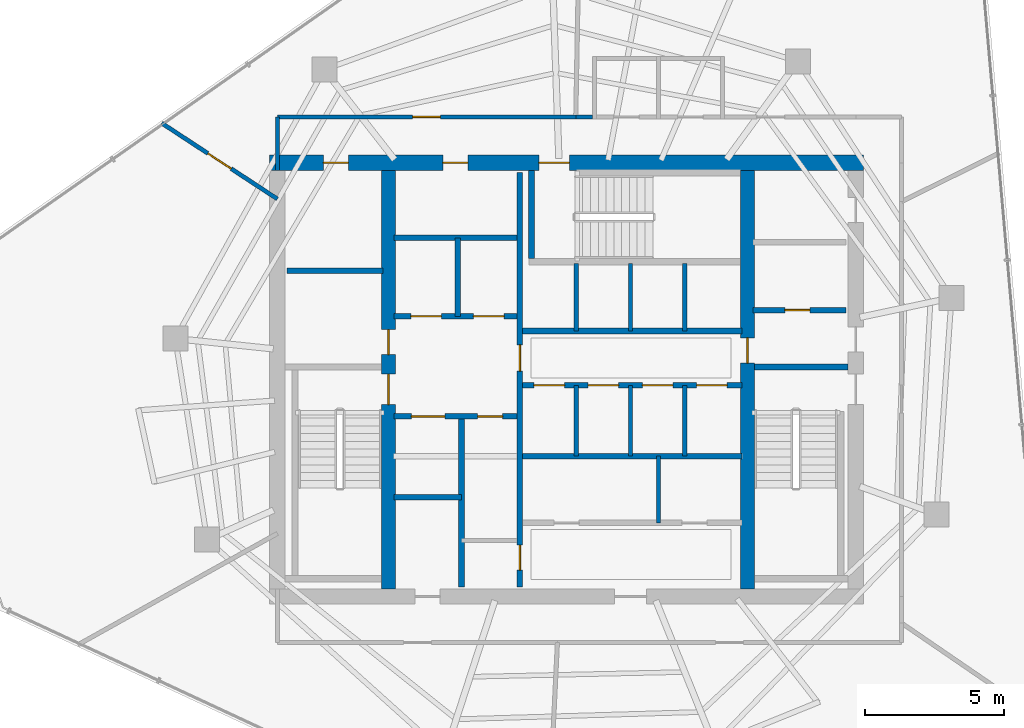
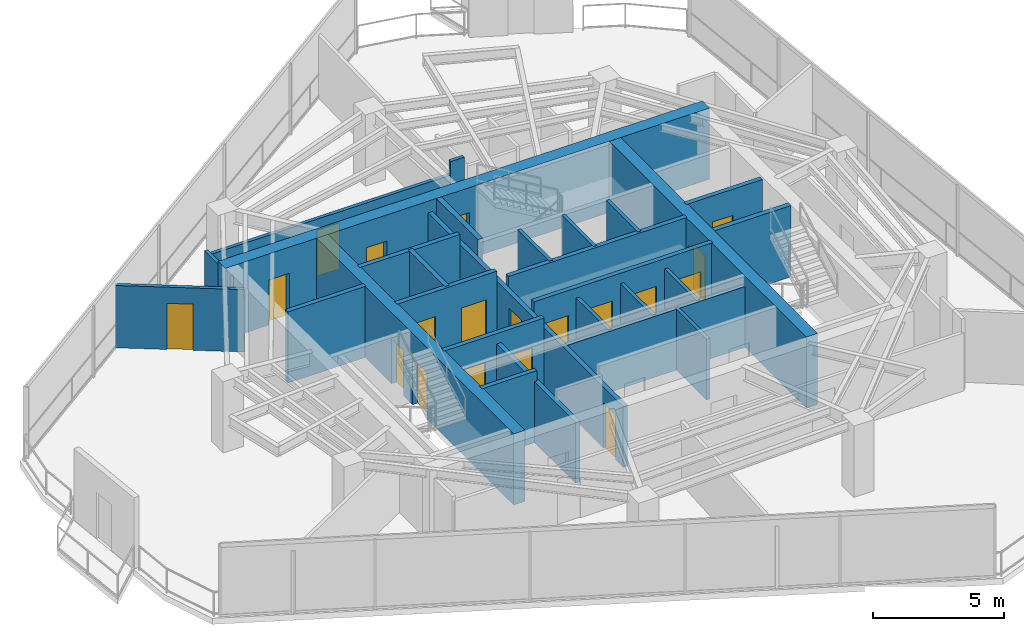
# One storey, part 17 of 20: 28 walls, 19 doors, 19 openings.
"""IFC4 building model written with IfcOpenShell, lengths in metres."""

from ifc_helpers import new_model, si_unit, direction, frame, frame_2d, origin, place, context, subcontext, project, spatial, rectangle, extrude, material, layer, layer_set, type_object, element, fill, save


model = new_model("IFC4")

# Units and contexts
model_context = context("Model", 3, precision=1e-05, world=origin(), true_north=direction((0.0, 1.0)))
body_context = subcontext(model_context, "Body", "Model", "MODEL_VIEW")
ifc_project = project(units=[si_unit("LENGTHUNIT", "METRE"), si_unit("AREAUNIT", "SQUARE_METRE"), si_unit("VOLUMEUNIT", "CUBIC_METRE"), si_unit("PLANEANGLEUNIT", "RADIAN"), si_unit("MASSUNIT", "GRAM", prefix="KILO")], contexts=[model_context])

# Site, building, storey
site_placement = place(None, origin())
site = spatial("IfcSite", under=ifc_project, at=site_placement, CompositionType="ELEMENT")
building_placement = place(site_placement, origin())
building = spatial("IfcBuilding", under=site, at=building_placement, Name="Qarnah Convention Tower", CompositionType="ELEMENT")
storey_placement = place(building_placement, frame((0.0, 0.0, 198.60009765625)))
storey = spatial("IfcBuildingStorey", under=building, at=storey_placement, Name="L53", CompositionType="ELEMENT", Elevation=198.60009765625)

# Wall, openings, doors
ifc_material_1 = material(Name="Concrete C60/75", Category="concrete")
ifc_layer_1 = layer(ifc_material_1, 0.550048828125)
ifc_layer_set_1 = layer_set([ifc_layer_1], Name="Concrete C60/75")
wall_type_1 = type_object("IfcWallType", Name="WL-CORE-550", PredefinedType="SHEAR", material=ifc_layer_set_1)
wall_1_placement = place(storey_placement, frame((26.52490234375, 34.199951171875, 0.0), z_axis=(0.0, 0.0, 1.0), x_axis=(1.0, 0.0, 0.0)))
wall_1 = element("IfcWall", 1, at=wall_1_placement, inside=storey, type_object=wall_type_1, Name="L53 core north shear wall", PredefinedType="SHEAR", context=body_context, shape_type="SweptSolid", body=[
    extrude(rectangle(XDim=21.35009765625, YDim=0.550048828125, at=frame_2d((10.675048828125, 0.0))), origin(), (0.0, 0.0, 1.0), 3.31982421875),
])
opening_1_placement = place(wall_1_placement, frame((9.675048828125, 0.0, 0.0)))
opening_1 = element("IfcOpeningElement", 2, at=opening_1_placement, cuts=wall_1, Name="Opening D-5303", PredefinedType="OPENING", context=body_context, shape_type="SweptSolid", body=[
    extrude(rectangle(XDim=1.10009765625, YDim=2.14990234375, at=frame_2d((0.550048828125, 1.074951171875))), frame((0.0, 0.284912109375, 0.0), z_axis=(0.0, -1.0, 0.0), x_axis=(1.0, 0.0, 0.0)), (0.0, 0.0, 1.0), 0.570068359375),
])
opening_2_placement = place(wall_1_placement, frame((1.925048828125, 0.0, 0.0)))
opening_2 = element("IfcOpeningElement", 3, at=opening_2_placement, cuts=wall_1, Name="Opening D-5309", PredefinedType="OPENING", context=body_context, shape_type="SweptSolid", body=[
    extrude(rectangle(XDim=0.89990234375, YDim=2.10009765625, at=frame_2d((0.449951171875, 1.050048828125))), frame((0.0, 0.284912109375, 0.0), z_axis=(0.0, -1.0, 0.0), x_axis=(1.0, 0.0, 0.0)), (0.0, 0.0, 1.0), 0.570068359375),
])
opening_3_placement = place(wall_1_placement, frame((6.22509765625, 0.0, 0.0)))
opening_3 = element("IfcOpeningElement", 4, at=opening_3_placement, cuts=wall_1, Name="Opening D-5310", PredefinedType="OPENING", context=body_context, shape_type="SweptSolid", body=[
    extrude(rectangle(XDim=0.89990234375, YDim=2.10009765625, at=frame_2d((0.449951171875, 1.050048828125))), frame((0.0, 0.284912109375, 0.0), z_axis=(0.0, -1.0, 0.0), x_axis=(1.0, 0.0, 0.0)), (0.0, 0.0, 1.0), 0.570068359375),
])
ifc_material_2 = material(Name="Structural steel S355JR", Category="steel")
door_type_1 = type_object("IfcDoorType", Name="DT-RISER-900", OperationType="NOTDEFINED", PredefinedType="DOOR", material=ifc_material_2)
door_1_placement = place(opening_2_placement, origin())
door_1 = element("IfcDoor", 5, at=door_1_placement, inside=storey, type_object=door_type_1, Name="Door D-5309", OperationType="SINGLE_SWING_RIGHT", OverallHeight=2.10009765625, OverallWidth=0.89990234375, PredefinedType="DOOR", context=body_context, shape_type="SweptSolid", body=[
    extrude(rectangle(XDim=0.89990234375, YDim=2.10009765625, at=frame_2d((0.449951171875, 1.050048828125))), frame((0.0, 0.02490234375, 0.0), z_axis=(0.0, -1.0, 0.0), x_axis=(1.0, 0.0, 0.0)), (0.0, 0.0, 1.0), 0.050048828125),
])
fill(opening_2, door_1)
door_2_placement = place(opening_3_placement, origin())
door_2 = element("IfcDoor", 6, at=door_2_placement, inside=storey, type_object=door_type_1, Name="Door D-5310", OperationType="SINGLE_SWING_LEFT", OverallHeight=2.10009765625, OverallWidth=0.89990234375, PredefinedType="DOOR", context=body_context, shape_type="SweptSolid", body=[
    extrude(rectangle(XDim=0.89990234375, YDim=2.10009765625, at=frame_2d((0.449951171875, 1.050048828125))), frame((0.0, 0.02490234375, 0.0), z_axis=(0.0, -1.0, 0.0), x_axis=(1.0, 0.0, 0.0)), (0.0, 0.0, 1.0), 0.050048828125),
])
fill(opening_3, door_2)
door_type_2 = type_object("IfcDoorType", Name="DT-STAIR-1100", OperationType="NOTDEFINED", PredefinedType="DOOR", material=ifc_material_2)
door_3_placement = place(opening_1_placement, origin())
door_3 = element("IfcDoor", 7, at=door_3_placement, inside=storey, type_object=door_type_2, Name="Door D-5303", OperationType="SINGLE_SWING_RIGHT", OverallHeight=2.14990234375, OverallWidth=1.10009765625, PredefinedType="DOOR", context=body_context, shape_type="SweptSolid", body=[
    extrude(rectangle(XDim=1.10009765625, YDim=2.14990234375, at=frame_2d((0.550048828125, 1.074951171875))), frame((0.0, 0.02490234375, 0.0), z_axis=(0.0, -1.0, 0.0), x_axis=(1.0, 0.0, 0.0)), (0.0, 0.0, 1.0), 0.050048828125),
])
fill(opening_1, door_3)

ifc_layer_2 = layer(ifc_material_1, 0.5)
ifc_layer_set_2 = layer_set([ifc_layer_2], Name="Concrete C60/75")
wall_type_2 = type_object("IfcWallType", Name="WL-CORE-INT-400", PredefinedType="SHEAR", material=ifc_layer_set_2)
wall_2_placement = place(storey_placement, frame((30.800048828125, 18.875, 0.0), z_axis=(0.0, 0.0, 1.0), x_axis=(0.0, 1.0, 0.0)))
wall_2 = element("IfcWall", 8, at=wall_2_placement, inside=storey, type_object=wall_type_2, Name="L53 core west spine shear wall", PredefinedType="SHEAR", context=body_context, shape_type="SweptSolid", body=[
    extrude(rectangle(XDim=15.050048828125, YDim=0.5, at=frame_2d((7.52490234375, 0.0))), origin(), (0.0, 0.0, 1.0), 3.31982421875),
])
opening_4_placement = place(wall_2_placement, frame((6.625, 0.0, 0.0)))
opening_4 = element("IfcOpeningElement", 9, at=opening_4_placement, cuts=wall_2, Name="Opening D-5301", PredefinedType="OPENING", context=body_context, shape_type="SweptSolid", body=[
    extrude(rectangle(XDim=1.10009765625, YDim=2.14990234375, at=frame_2d((0.550048828125, 1.074951171875))), frame((0.0, 0.260009765625, 0.0), z_axis=(0.0, -1.0, 0.0), x_axis=(1.0, 0.0, 0.0)), (0.0, 0.0, 1.0), 0.52001953125),
])
opening_5_placement = place(wall_2_placement, frame((8.425048828125, 0.0, 0.0)))
opening_5 = element("IfcOpeningElement", 10, at=opening_5_placement, cuts=wall_2, Name="Opening D-5308", PredefinedType="OPENING", context=body_context, shape_type="SweptSolid", body=[
    extrude(rectangle(XDim=0.89990234375, YDim=2.10009765625, at=frame_2d((0.449951171875, 1.050048828125))), frame((0.0, 0.260009765625, 0.0), z_axis=(0.0, -1.0, 0.0), x_axis=(1.0, 0.0, 0.0)), (0.0, 0.0, 1.0), 0.52001953125),
])
door_4_placement = place(opening_5_placement, origin())
door_4 = element("IfcDoor", 11, at=door_4_placement, inside=storey, type_object=door_type_1, Name="Door D-5308", OperationType="SINGLE_SWING_LEFT", OverallHeight=2.10009765625, OverallWidth=0.89990234375, PredefinedType="DOOR", context=body_context, shape_type="SweptSolid", body=[
    extrude(rectangle(XDim=0.89990234375, YDim=2.10009765625, at=frame_2d((0.449951171875, 1.050048828125))), frame((0.0, 0.02490234375, 0.0), z_axis=(0.0, -1.0, 0.0), x_axis=(1.0, 0.0, 0.0)), (0.0, 0.0, 1.0), 0.050048828125),
])
fill(opening_5, door_4)
door_5_placement = place(opening_4_placement, origin())
door_5 = element("IfcDoor", 12, at=door_5_placement, inside=storey, type_object=door_type_2, Name="Door D-5301", OperationType="SINGLE_SWING_RIGHT", OverallHeight=2.14990234375, OverallWidth=1.10009765625, PredefinedType="DOOR", context=body_context, shape_type="SweptSolid", body=[
    extrude(rectangle(XDim=1.10009765625, YDim=2.14990234375, at=frame_2d((0.550048828125, 1.074951171875))), frame((0.0, 0.02490234375, 0.0), z_axis=(0.0, -1.0, 0.0), x_axis=(1.0, 0.0, 0.0)), (0.0, 0.0, 1.0), 0.050048828125),
])
fill(opening_4, door_5)

# Wall, opening, door
wall_3_placement = place(storey_placement, frame((43.699951171875, 18.875, 0.0), z_axis=(0.0, 0.0, 1.0), x_axis=(0.0, 1.0, 0.0)))
wall_3 = element("IfcWall", 13, at=wall_3_placement, inside=storey, type_object=wall_type_2, Name="L53 core east spine shear wall", PredefinedType="SHEAR", context=body_context, shape_type="SweptSolid", body=[
    extrude(rectangle(XDim=15.050048828125, YDim=0.5, at=frame_2d((7.52490234375, 0.0))), origin(), (0.0, 0.0, 1.0), 3.31982421875),
])
opening_6_placement = place(wall_3_placement, frame((8.125, 0.0, 0.0)))
opening_6 = element("IfcOpeningElement", 14, at=opening_6_placement, cuts=wall_3, Name="Opening D-5305", PredefinedType="OPENING", context=body_context, shape_type="SweptSolid", body=[
    extrude(rectangle(XDim=0.89990234375, YDim=2.10009765625, at=frame_2d((0.449951171875, 1.050048828125))), frame((0.0, 0.260009765625, 0.0), z_axis=(0.0, -1.0, 0.0), x_axis=(1.0, 0.0, 0.0)), (0.0, 0.0, 1.0), 0.52001953125),
])
door_6_placement = place(opening_6_placement, origin())
door_6 = element("IfcDoor", 15, at=door_6_placement, inside=storey, type_object=door_type_1, Name="Door D-5305", OperationType="SINGLE_SWING_RIGHT", OverallHeight=2.10009765625, OverallWidth=0.89990234375, PredefinedType="DOOR", context=body_context, shape_type="SweptSolid", body=[
    extrude(rectangle(XDim=0.89990234375, YDim=2.10009765625, at=frame_2d((0.449951171875, 1.050048828125))), frame((0.0, 0.02490234375, 0.0), z_axis=(0.0, -1.0, 0.0), x_axis=(1.0, 0.0, 0.0)), (0.0, 0.0, 1.0), 0.050048828125),
])
fill(opening_6, door_6)

# Wall
ifc_material_3 = material(Name="Concrete C45/55", Category="concrete")
ifc_layer_3 = layer(ifc_material_3, 0.199951171875)
ifc_layer_set_3 = layer_set([ifc_layer_3], Name="Concrete C45/55")
wall_type_3 = type_object("IfcWallType", Name="WL-CORE-PART-200", PredefinedType="SOLIDWALL", material=ifc_layer_set_3)
wall_4_placement = place(storey_placement, frame((27.14990234375, 30.320068359375, 0.0), z_axis=(0.0, 0.0, 1.0), x_axis=(1.0, 0.0, 0.0)))
element("IfcWall", 16, at=wall_4_placement, inside=storey, type_object=wall_type_3, Name="L53 interior wall IW-L53-ELRN", PredefinedType="SOLIDWALL", context=body_context, shape_type="SweptSolid", body=[
    extrude(rectangle(XDim=3.4501953125, YDim=0.199951171875, at=frame_2d((1.72509765625, 0.0))), origin(), (0.0, 0.0, 1.0), 3.31982421875),
])

# Wall, opening, door
wall_5_placement = place(storey_placement, frame((43.89990234375, 28.89990234375, 0.0), z_axis=(0.0, 0.0, 1.0), x_axis=(1.0, 0.0, 0.0)))
wall_5 = element("IfcWall", 17, at=wall_5_placement, inside=storey, type_object=wall_type_3, Name="L53 interior wall IW-L53-EVSTN", PredefinedType="SOLIDWALL", context=body_context, shape_type="SweptSolid", body=[
    extrude(rectangle(XDim=3.35009765625, YDim=0.199951171875, at=frame_2d((1.675048828125, 0.0))), origin(), (0.0, 0.0, 1.0), 3.31982421875),
])
opening_7_placement = place(wall_5_placement, frame((1.14990234375, 0.0, 0.0)))
opening_7 = element("IfcOpeningElement", 18, at=opening_7_placement, cuts=wall_5, Name="Opening D-5311", PredefinedType="OPENING", context=body_context, shape_type="SweptSolid", body=[
    extrude(rectangle(XDim=0.89990234375, YDim=2.10009765625, at=frame_2d((0.449951171875, 1.050048828125))), frame((0.0, 0.10986328125, 0.0), z_axis=(0.0, -1.0, 0.0), x_axis=(1.0, 0.0, 0.0)), (0.0, 0.0, 1.0), 0.219970703125),
])
door_7_placement = place(opening_7_placement, origin())
door_7 = element("IfcDoor", 19, at=door_7_placement, inside=storey, type_object=door_type_1, Name="Door D-5311", OperationType="SINGLE_SWING_RIGHT", OverallHeight=2.10009765625, OverallWidth=0.89990234375, PredefinedType="DOOR", context=body_context, shape_type="SweptSolid", body=[
    extrude(rectangle(XDim=0.89990234375, YDim=2.10009765625, at=frame_2d((0.449951171875, 1.050048828125))), frame((0.0, 0.02490234375, 0.0), z_axis=(0.0, -1.0, 0.0), x_axis=(1.0, 0.0, 0.0)), (0.0, 0.0, 1.0), 0.050048828125),
])
fill(opening_7, door_7)

# Wall, openings, doors
wall_6_placement = place(storey_placement, frame((35.52001953125, 18.949951171875, 0.0), z_axis=(0.0, 0.0, 1.0), x_axis=(0.0, 1.0, 0.0)))
wall_6 = element("IfcWall", 20, at=wall_6_placement, inside=storey, type_object=wall_type_3, Name="L53 interior wall IW-L53-CSP", PredefinedType="SOLIDWALL", context=body_context, shape_type="SweptSolid", body=[
    extrude(rectangle(XDim=14.900146484375, YDim=0.199951171875, at=frame_2d((7.4501953125, 0.0))), origin(), (0.0, 0.0, 1.0), 2.8408203125),
])
opening_8_placement = place(wall_6_placement, frame((7.7548828125, 0.0, 0.0)))
opening_8 = element("IfcOpeningElement", 21, at=opening_8_placement, cuts=wall_6, Name="Opening D-5304", PredefinedType="OPENING", context=body_context, shape_type="SweptSolid", body=[
    extrude(rectangle(XDim=0.949951171875, YDim=2.14990234375, at=frame_2d((0.47509765625, 1.074951171875))), frame((0.0, 0.10986328125, 0.0), z_axis=(0.0, -1.0, 0.0), x_axis=(1.0, 0.0, 0.0)), (0.0, 0.0, 1.0), 0.219970703125),
])
opening_9_placement = place(wall_6_placement, frame((0.60009765625, 0.0, 0.0)))
opening_9 = element("IfcOpeningElement", 22, at=opening_9_placement, cuts=wall_6, Name="Opening D-5314", PredefinedType="OPENING", context=body_context, shape_type="SweptSolid", body=[
    extrude(rectangle(XDim=0.89990234375, YDim=2.10009765625, at=frame_2d((0.449951171875, 1.050048828125))), frame((0.0, 0.10986328125, 0.0), z_axis=(0.0, -1.0, 0.0), x_axis=(1.0, 0.0, 0.0)), (0.0, 0.0, 1.0), 0.219970703125),
])
ifc_material_4 = material(Name="Oak timber veneer", Category="wood")
door_type_3 = type_object("IfcDoorType", Name="DT-HOTEL-950", OperationType="NOTDEFINED", PredefinedType="DOOR", material=ifc_material_4)
door_8_placement = place(opening_8_placement, origin())
door_8 = element("IfcDoor", 23, at=door_8_placement, inside=storey, type_object=door_type_3, Name="Door D-5304", OperationType="SINGLE_SWING_LEFT", OverallHeight=2.14990234375, OverallWidth=0.949951171875, PredefinedType="DOOR", context=body_context, shape_type="SweptSolid", body=[
    extrude(rectangle(XDim=0.949951171875, YDim=2.14990234375, at=frame_2d((0.47509765625, 1.074951171875))), frame((0.0, 0.02490234375, 0.0), z_axis=(0.0, -1.0, 0.0), x_axis=(1.0, 0.0, 0.0)), (0.0, 0.0, 1.0), 0.050048828125),
])
fill(opening_8, door_8)
door_9_placement = place(opening_9_placement, origin())
door_9 = element("IfcDoor", 24, at=door_9_placement, inside=storey, type_object=door_type_1, Name="Door D-5314", OperationType="SINGLE_SWING_LEFT", OverallHeight=2.10009765625, OverallWidth=0.89990234375, PredefinedType="DOOR", context=body_context, shape_type="SweptSolid", body=[
    extrude(rectangle(XDim=0.89990234375, YDim=2.10009765625, at=frame_2d((0.449951171875, 1.050048828125))), frame((0.0, 0.02490234375, 0.0), z_axis=(0.0, -1.0, 0.0), x_axis=(1.0, 0.0, 0.0)), (0.0, 0.0, 1.0), 0.050048828125),
])
fill(opening_9, door_9)

wall_7_placement = place(storey_placement, frame((31.0, 28.679931640625, 0.0), z_axis=(0.0, 0.0, 1.0), x_axis=(1.0, 0.0, 0.0)))
wall_7 = element("IfcWall", 25, at=wall_7_placement, inside=storey, type_object=wall_type_3, Name="L53 interior wall IW-L53-FFLS", PredefinedType="SOLIDWALL", context=body_context, shape_type="SweptSolid", body=[
    extrude(rectangle(XDim=4.419921875, YDim=0.199951171875, at=frame_2d((2.2099609375, 0.0))), origin(), (0.0, 0.0, 1.0), 3.31982421875),
])
opening_10_placement = place(wall_7_placement, frame((0.60009765625, 0.0, 0.0)))
opening_10 = element("IfcOpeningElement", 26, at=opening_10_placement, cuts=wall_7, Name="Opening LD-5301", PredefinedType="OPENING", context=body_context, shape_type="SweptSolid", body=[
    extrude(rectangle(XDim=1.10009765625, YDim=2.14990234375, at=frame_2d((0.550048828125, 1.074951171875))), frame((0.0, 0.10986328125, 0.0), z_axis=(0.0, -1.0, 0.0), x_axis=(1.0, 0.0, 0.0)), (0.0, 0.0, 1.0), 0.219970703125),
])
opening_11_placement = place(wall_7_placement, frame((2.85009765625, 0.0, 0.0)))
opening_11 = element("IfcOpeningElement", 27, at=opening_11_placement, cuts=wall_7, Name="Opening LD-5302", PredefinedType="OPENING", context=body_context, shape_type="SweptSolid", body=[
    extrude(rectangle(XDim=1.10009765625, YDim=2.14990234375, at=frame_2d((0.550048828125, 1.074951171875))), frame((0.0, 0.10986328125, 0.0), z_axis=(0.0, -1.0, 0.0), x_axis=(1.0, 0.0, 0.0)), (0.0, 0.0, 1.0), 0.219970703125),
])
door_type_4 = type_object("IfcDoorType", Name="DT-LIFT-1100", OperationType="SLIDING_TO_LEFT", PredefinedType="DOOR", material=ifc_material_2)
door_10_placement = place(opening_10_placement, origin())
door_10 = element("IfcDoor", 28, at=door_10_placement, inside=storey, type_object=door_type_4, Name="Door LD-5301", OperationType="SLIDING_TO_LEFT", OverallHeight=2.14990234375, OverallWidth=1.10009765625, PredefinedType="DOOR", context=body_context, shape_type="SweptSolid", body=[
    extrude(rectangle(XDim=1.10009765625, YDim=2.14990234375, at=frame_2d((0.550048828125, 1.074951171875))), frame((0.0, 0.02490234375, 0.0), z_axis=(0.0, -1.0, 0.0), x_axis=(1.0, 0.0, 0.0)), (0.0, 0.0, 1.0), 0.050048828125),
])
fill(opening_10, door_10)
door_11_placement = place(opening_11_placement, origin())
door_11 = element("IfcDoor", 29, at=door_11_placement, inside=storey, type_object=door_type_4, Name="Door LD-5302", OperationType="SLIDING_TO_LEFT", OverallHeight=2.14990234375, OverallWidth=1.10009765625, PredefinedType="DOOR", context=body_context, shape_type="SweptSolid", body=[
    extrude(rectangle(XDim=1.10009765625, YDim=2.14990234375, at=frame_2d((0.550048828125, 1.074951171875))), frame((0.0, 0.02490234375, 0.0), z_axis=(0.0, -1.0, 0.0), x_axis=(1.0, 0.0, 0.0)), (0.0, 0.0, 1.0), 0.050048828125),
])
fill(opening_11, door_11)

# Walls
wall_8_placement = place(storey_placement, frame((31.0, 31.5, 0.0), z_axis=(0.0, 0.0, 1.0), x_axis=(1.0, 0.0, 0.0)))
element("IfcWall", 30, at=wall_8_placement, inside=storey, type_object=wall_type_3, Name="L53 interior wall IW-L53-FFLN", PredefinedType="SOLIDWALL", context=body_context, shape_type="SweptSolid", body=[
    extrude(rectangle(XDim=4.419921875, YDim=0.199951171875, at=frame_2d((2.2099609375, 0.0))), origin(), (0.0, 0.0, 1.0), 3.31982421875),
])
wall_9_placement = place(storey_placement, frame((33.280029296875, 28.679931640625, 0.0), z_axis=(0.0, 0.0, 1.0), x_axis=(0.0, 1.0, 0.0)))
element("IfcWall", 31, at=wall_9_placement, inside=storey, type_object=wall_type_3, Name="L53 interior wall IW-L53-FFLM", PredefinedType="SOLIDWALL", context=body_context, shape_type="SweptSolid", body=[
    extrude(rectangle(XDim=2.820068359375, YDim=0.199951171875, at=frame_2d((1.41015625, 0.0))), origin(), (0.0, 0.0, 1.0), 3.31982421875),
])

# Wall, openings, doors
wall_10_placement = place(storey_placement, frame((31.0, 25.080078125, 0.0), z_axis=(0.0, 0.0, 1.0), x_axis=(1.0, 0.0, 0.0)))
wall_10 = element("IfcWall", 32, at=wall_10_placement, inside=storey, type_object=wall_type_3, Name="L53 interior wall IW-L53-FFLBS", PredefinedType="SOLIDWALL", context=body_context, shape_type="SweptSolid", body=[
    extrude(rectangle(XDim=4.419921875, YDim=0.199951171875, at=frame_2d((2.2099609375, 0.0))), origin(), (0.0, 0.0, 1.0), 3.31982421875),
])
opening_12_placement = place(wall_10_placement, frame((3.0, 0.0, 0.0)))
opening_12 = element("IfcOpeningElement", 33, at=opening_12_placement, cuts=wall_10, Name="Opening D-5315", PredefinedType="OPENING", context=body_context, shape_type="SweptSolid", body=[
    extrude(rectangle(XDim=0.89990234375, YDim=2.10009765625, at=frame_2d((0.449951171875, 1.050048828125))), frame((0.0, 0.10986328125, 0.0), z_axis=(0.0, -1.0, 0.0), x_axis=(1.0, 0.0, 0.0)), (0.0, 0.0, 1.0), 0.219970703125),
])
opening_13_placement = place(wall_10_placement, frame((0.6201171875, 0.0, 0.0)))
opening_13 = element("IfcOpeningElement", 34, at=opening_13_placement, cuts=wall_10, Name="Opening LD-5303", PredefinedType="OPENING", context=body_context, shape_type="SweptSolid", body=[
    extrude(rectangle(XDim=1.199951171875, YDim=2.14990234375, at=frame_2d((0.60009765625, 1.074951171875))), frame((0.0, 0.10986328125, 0.0), z_axis=(0.0, -1.0, 0.0), x_axis=(1.0, 0.0, 0.0)), (0.0, 0.0, 1.0), 0.219970703125),
])
door_type_5 = type_object("IfcDoorType", Name="DT-LIFT-1200", OperationType="SLIDING_TO_LEFT", PredefinedType="DOOR", material=ifc_material_2)
door_12_placement = place(opening_13_placement, origin())
door_12 = element("IfcDoor", 35, at=door_12_placement, inside=storey, type_object=door_type_5, Name="Door LD-5303", OperationType="SLIDING_TO_LEFT", OverallHeight=2.14990234375, OverallWidth=1.199951171875, PredefinedType="DOOR", context=body_context, shape_type="SweptSolid", body=[
    extrude(rectangle(XDim=1.199951171875, YDim=2.14990234375, at=frame_2d((0.60009765625, 1.074951171875))), frame((0.0, 0.02490234375, 0.0), z_axis=(0.0, -1.0, 0.0), x_axis=(1.0, 0.0, 0.0)), (0.0, 0.0, 1.0), 0.050048828125),
])
fill(opening_13, door_12)
door_13_placement = place(opening_12_placement, origin())
door_13 = element("IfcDoor", 36, at=door_13_placement, inside=storey, type_object=door_type_1, Name="Door D-5315", OperationType="SINGLE_SWING_RIGHT", OverallHeight=2.10009765625, OverallWidth=0.89990234375, PredefinedType="DOOR", context=body_context, shape_type="SweptSolid", body=[
    extrude(rectangle(XDim=0.89990234375, YDim=2.10009765625, at=frame_2d((0.449951171875, 1.050048828125))), frame((0.0, 0.02490234375, 0.0), z_axis=(0.0, -1.0, 0.0), x_axis=(1.0, 0.0, 0.0)), (0.0, 0.0, 1.0), 0.050048828125),
])
fill(opening_12, door_13)

# Walls
wall_11_placement = place(storey_placement, frame((33.419921875, 18.949951171875, 0.0), z_axis=(0.0, 0.0, 1.0), x_axis=(0.0, 1.0, 0.0)))
element("IfcWall", 37, at=wall_11_placement, inside=storey, type_object=wall_type_3, Name="L53 interior wall IW-L53-SVLE", PredefinedType="SOLIDWALL", context=body_context, shape_type="SweptSolid", body=[
    extrude(rectangle(XDim=6.130126953125, YDim=0.199951171875, at=frame_2d((3.06494140625, 0.0))), origin(), (0.0, 0.0, 1.0), 2.8408203125),
])
wall_12_placement = place(storey_placement, frame((31.0, 22.179931640625, 0.0), z_axis=(0.0, 0.0, 1.0), x_axis=(1.0, 0.0, 0.0)))
element("IfcWall", 38, at=wall_12_placement, inside=storey, type_object=wall_type_3, Name="L53 interior wall IW-L53-SVLS", PredefinedType="SOLIDWALL", context=body_context, shape_type="SweptSolid", body=[
    extrude(rectangle(XDim=2.419921875, YDim=0.199951171875, at=frame_2d((1.2099609375, 0.0))), origin(), (0.0, 0.0, 1.0), 3.31982421875),
])
wall_13_placement = place(storey_placement, frame((35.6201171875, 28.14990234375, 0.0), z_axis=(0.0, 0.0, 1.0), x_axis=(1.0, 0.0, 0.0)))
element("IfcWall", 39, at=wall_13_placement, inside=storey, type_object=wall_type_3, Name="L53 interior wall IW-L53-PHS", PredefinedType="SOLIDWALL", context=body_context, shape_type="SweptSolid", body=[
    extrude(rectangle(XDim=7.8798828125, YDim=0.199951171875, at=frame_2d((3.93994140625, 0.0))), origin(), (0.0, 0.0, 1.0), 3.31982421875),
])

# Wall, openings, doors
wall_14_placement = place(storey_placement, frame((35.6201171875, 26.199951171875, 0.0), z_axis=(0.0, 0.0, 1.0), x_axis=(1.0, 0.0, 0.0)))
wall_14 = element("IfcWall", 40, at=wall_14_placement, inside=storey, type_object=wall_type_3, Name="L53 interior wall IW-L53-PMN", PredefinedType="SOLIDWALL", context=body_context, shape_type="SweptSolid", body=[
    extrude(rectangle(XDim=7.8798828125, YDim=0.199951171875, at=frame_2d((3.93994140625, 0.0))), origin(), (0.0, 0.0, 1.0), 3.31982421875),
])
opening_14_placement = place(wall_14_placement, frame((0.405029296875, 0.0, 0.0)))
opening_14 = element("IfcOpeningElement", 41, at=opening_14_placement, cuts=wall_14, Name="Opening LD-5304", PredefinedType="OPENING", context=body_context, shape_type="SweptSolid", body=[
    extrude(rectangle(XDim=1.10009765625, YDim=2.14990234375, at=frame_2d((0.550048828125, 1.074951171875))), frame((0.0, 0.10986328125, 0.0), z_axis=(0.0, -1.0, 0.0), x_axis=(1.0, 0.0, 0.0)), (0.0, 0.0, 1.0), 0.219970703125),
])
opening_15_placement = place(wall_14_placement, frame((2.35498046875, 0.0, 0.0)))
opening_15 = element("IfcOpeningElement", 42, at=opening_15_placement, cuts=wall_14, Name="Opening LD-5305", PredefinedType="OPENING", context=body_context, shape_type="SweptSolid", body=[
    extrude(rectangle(XDim=1.10009765625, YDim=2.14990234375, at=frame_2d((0.550048828125, 1.074951171875))), frame((0.0, 0.10986328125, 0.0), z_axis=(0.0, -1.0, 0.0), x_axis=(1.0, 0.0, 0.0)), (0.0, 0.0, 1.0), 0.219970703125),
])
opening_16_placement = place(wall_14_placement, frame((4.304931640625, 0.0, 0.0)))
opening_16 = element("IfcOpeningElement", 43, at=opening_16_placement, cuts=wall_14, Name="Opening LD-5306", PredefinedType="OPENING", context=body_context, shape_type="SweptSolid", body=[
    extrude(rectangle(XDim=1.10009765625, YDim=2.14990234375, at=frame_2d((0.550048828125, 1.074951171875))), frame((0.0, 0.10986328125, 0.0), z_axis=(0.0, -1.0, 0.0), x_axis=(1.0, 0.0, 0.0)), (0.0, 0.0, 1.0), 0.219970703125),
])
opening_17_placement = place(wall_14_placement, frame((6.2548828125, 0.0, 0.0)))
opening_17 = element("IfcOpeningElement", 44, at=opening_17_placement, cuts=wall_14, Name="Opening LD-5307", PredefinedType="OPENING", context=body_context, shape_type="SweptSolid", body=[
    extrude(rectangle(XDim=1.10009765625, YDim=2.14990234375, at=frame_2d((0.550048828125, 1.074951171875))), frame((0.0, 0.10986328125, 0.0), z_axis=(0.0, -1.0, 0.0), x_axis=(1.0, 0.0, 0.0)), (0.0, 0.0, 1.0), 0.219970703125),
])
door_14_placement = place(opening_14_placement, origin())
door_14 = element("IfcDoor", 45, at=door_14_placement, inside=storey, type_object=door_type_4, Name="Door LD-5304", OperationType="SLIDING_TO_LEFT", OverallHeight=2.14990234375, OverallWidth=1.10009765625, PredefinedType="DOOR", context=body_context, shape_type="SweptSolid", body=[
    extrude(rectangle(XDim=1.10009765625, YDim=2.14990234375, at=frame_2d((0.550048828125, 1.074951171875))), frame((0.0, 0.02490234375, 0.0), z_axis=(0.0, -1.0, 0.0), x_axis=(1.0, 0.0, 0.0)), (0.0, 0.0, 1.0), 0.050048828125),
])
fill(opening_14, door_14)
door_15_placement = place(opening_15_placement, origin())
door_15 = element("IfcDoor", 46, at=door_15_placement, inside=storey, type_object=door_type_4, Name="Door LD-5305", OperationType="SLIDING_TO_LEFT", OverallHeight=2.14990234375, OverallWidth=1.10009765625, PredefinedType="DOOR", context=body_context, shape_type="SweptSolid", body=[
    extrude(rectangle(XDim=1.10009765625, YDim=2.14990234375, at=frame_2d((0.550048828125, 1.074951171875))), frame((0.0, 0.02490234375, 0.0), z_axis=(0.0, -1.0, 0.0), x_axis=(1.0, 0.0, 0.0)), (0.0, 0.0, 1.0), 0.050048828125),
])
fill(opening_15, door_15)
door_16_placement = place(opening_16_placement, origin())
door_16 = element("IfcDoor", 47, at=door_16_placement, inside=storey, type_object=door_type_4, Name="Door LD-5306", OperationType="SLIDING_TO_LEFT", OverallHeight=2.14990234375, OverallWidth=1.10009765625, PredefinedType="DOOR", context=body_context, shape_type="SweptSolid", body=[
    extrude(rectangle(XDim=1.10009765625, YDim=2.14990234375, at=frame_2d((0.550048828125, 1.074951171875))), frame((0.0, 0.02490234375, 0.0), z_axis=(0.0, -1.0, 0.0), x_axis=(1.0, 0.0, 0.0)), (0.0, 0.0, 1.0), 0.050048828125),
])
fill(opening_16, door_16)
door_17_placement = place(opening_17_placement, origin())
door_17 = element("IfcDoor", 48, at=door_17_placement, inside=storey, type_object=door_type_4, Name="Door LD-5307", OperationType="SLIDING_TO_LEFT", OverallHeight=2.14990234375, OverallWidth=1.10009765625, PredefinedType="DOOR", context=body_context, shape_type="SweptSolid", body=[
    extrude(rectangle(XDim=1.10009765625, YDim=2.14990234375, at=frame_2d((0.550048828125, 1.074951171875))), frame((0.0, 0.02490234375, 0.0), z_axis=(0.0, -1.0, 0.0), x_axis=(1.0, 0.0, 0.0)), (0.0, 0.0, 1.0), 0.050048828125),
])
fill(opening_17, door_17)

# Walls
wall_15_placement = place(storey_placement, frame((35.6201171875, 23.64990234375, 0.0), z_axis=(0.0, 0.0, 1.0), x_axis=(1.0, 0.0, 0.0)))
element("IfcWall", 49, at=wall_15_placement, inside=storey, type_object=wall_type_3, Name="L53 interior wall IW-L53-PMPL", PredefinedType="SOLIDWALL", context=body_context, shape_type="SweptSolid", body=[
    extrude(rectangle(XDim=7.8798828125, YDim=0.199951171875, at=frame_2d((3.93994140625, 0.0))), origin(), (0.0, 0.0, 1.0), 2.8408203125),
])
ifc_layer_4 = layer(ifc_material_1, 0.219970703125)
ifc_layer_set_4 = layer_set([ifc_layer_4], Name="Concrete C60/75")
wall_type_4 = type_object("IfcWallType", Name="WL-CORE-STAIR-220", PredefinedType="SHEAR", material=ifc_layer_set_4)
wall_16_placement = place(storey_placement, frame((43.949951171875, 26.860107421875, 0.0), z_axis=(0.0, 0.0, 1.0), x_axis=(1.0, 0.0, 0.0)))
element("IfcWall", 50, at=wall_16_placement, inside=storey, type_object=wall_type_4, Name="L53 stair shaft shear wall SW-L53-ST2N", PredefinedType="SHEAR", context=body_context, shape_type="SweptSolid", body=[
    extrude(rectangle(XDim=3.375, YDim=0.219970703125, at=frame_2d((1.6875, 0.0))), origin(), (0.0, 0.0, 1.0), 3.31982421875),
])
wall_17_placement = place(storey_placement, frame((35.93994140625, 30.75, 0.0), z_axis=(0.0, 0.0, 1.0), x_axis=(0.0, 1.0, 0.0)))
element("IfcWall", 51, at=wall_17_placement, inside=storey, type_object=wall_type_4, Name="L53 stair shaft shear wall SW-L53-ST3W", PredefinedType="SHEAR", context=body_context, shape_type="SweptSolid", body=[
    extrude(rectangle(XDim=3.175048828125, YDim=0.219970703125, at=frame_2d((1.58740234375, 0.0))), origin(), (0.0, 0.0, 1.0), 3.31982421875),
])
ifc_material_5 = material(Name="Gypsum partition board")
ifc_layer_5 = layer(ifc_material_5, 0.14990234375)
ifc_layer_set_5 = layer_set([ifc_layer_5], Name="Gypsum partition board")
wall_type_5 = type_object("IfcWallType", Name="WL-SUITE-150", PredefinedType="PARTITIONING", material=ifc_layer_set_5)
for number, where, z_axis, x_axis, name in (
    (52, (37.550048828125, 28.14990234375, 0.0), (0.0, 0.0, 1.0), (0.0, 1.0, 0.0), "L53 interior wall IW-L53-PHD1"),
    (53, (39.5, 28.14990234375, 0.0), (0.0, 0.0, 1.0), (0.0, 1.0, 0.0), "L53 interior wall IW-L53-PHD2"),
    (54, (41.449951171875, 28.14990234375, 0.0), (0.0, 0.0, 1.0), (0.0, 1.0, 0.0), "L53 interior wall IW-L53-PHD3"),
):
    element("IfcWall", number, at=place(storey_placement, frame(where, z_axis=z_axis, x_axis=x_axis)), inside=storey, type_object=wall_type_5, Name=name, PredefinedType="PARTITIONING", context=body_context, shape_type="SweptSolid", body=[
        extrude(rectangle(XDim=2.43017578125, YDim=0.14990234375, at=frame_2d((1.215087890625, 0.0))), origin(), (0.0, 0.0, 1.0), 3.31982421875),
    ])
for number, where, z_axis, x_axis, name in (
    (55, (37.550048828125, 23.64990234375, 0.0), (0.0, 0.0, 1.0), (0.0, 1.0, 0.0), "L53 interior wall IW-L53-PMD1"),
    (56, (39.5, 23.64990234375, 0.0), (0.0, 0.0, 1.0), (0.0, 1.0, 0.0), "L53 interior wall IW-L53-PMD2"),
    (57, (41.449951171875, 23.64990234375, 0.0), (0.0, 0.0, 1.0), (0.0, 1.0, 0.0), "L53 interior wall IW-L53-PMD3"),
):
    element("IfcWall", number, at=place(storey_placement, frame(where, z_axis=z_axis, x_axis=x_axis)), inside=storey, type_object=wall_type_5, Name=name, PredefinedType="PARTITIONING", context=body_context, shape_type="SweptSolid", body=[
        extrude(rectangle(XDim=2.550048828125, YDim=0.14990234375, at=frame_2d((1.27490234375, 0.0))), origin(), (0.0, 0.0, 1.0), 2.8408203125),
    ])
wall_18_placement = place(storey_placement, frame((40.5, 21.25, 0.0), z_axis=(0.0, 0.0, 1.0), x_axis=(0.0, 1.0, 0.0)))
element("IfcWall", 58, at=wall_18_placement, inside=storey, type_object=wall_type_5, Name="L53 interior wall IW-L53-PLFD", PredefinedType="PARTITIONING", context=body_context, shape_type="SweptSolid", body=[
    extrude(rectangle(XDim=2.39990234375, YDim=0.14990234375, at=frame_2d((1.199951171875, 0.0))), origin(), (0.0, 0.0, 1.0), 2.8408203125),
])
wall_19_placement = place(storey_placement, frame((37.530029296875, 35.85009765625, 0.0), z_axis=(0.0, 0.0, 1.0), x_axis=(1.0, 0.0, 0.0)))
element("IfcWall", 59, at=wall_19_placement, inside=storey, type_object=wall_type_5, Name="L53 interior wall IW-L53-R-09", PredefinedType="PARTITIONING", context=body_context, shape_type="SweptSolid", body=[
    extrude(rectangle(XDim=0.599853515625, YDim=0.14990234375, at=frame_2d((0.2998046875, 0.0))), origin(), (0.0, 0.0, 1.0), 3.31982421875),
])

# Wall, opening, door
wall_20_placement = place(storey_placement, frame((22.639892578125, 35.6259765625, 0.0), z_axis=(0.0, 0.0, 1.0), x_axis=(0.83632921722, -0.548227544387, 0.0)))
wall_20 = element("IfcWall", 60, at=wall_20_placement, inside=storey, type_object=wall_type_5, Name="L53 interior wall IW-L53-R-15", PredefinedType="PARTITIONING", context=body_context, shape_type="SweptSolid", body=[
    extrude(rectangle(XDim=4.974365234375, YDim=0.14990234375, at=frame_2d((2.4873046875, 0.0))), origin(), (0.0, 0.0, 1.0), 2.90478515625),
])
opening_18_placement = place(wall_20_placement, frame((1.987060546875, 0.0, 0.0)))
opening_18 = element("IfcOpeningElement", 61, at=opening_18_placement, cuts=wall_20, Name="Opening D-5322", PredefinedType="OPENING", context=body_context, shape_type="SweptSolid", body=[
    extrude(rectangle(XDim=1.0, YDim=2.14990234375, at=frame_2d((0.5, 1.074951171875))), frame((0.0, 0.0849609375, 0.0), z_axis=(0.0, -1.0, 0.0), x_axis=(1.0, 0.0, 0.0)), (0.0, 0.0, 1.0), 0.169921875),
])
door_type_6 = type_object("IfcDoorType", Name="DT-OFFICE-1000", OperationType="NOTDEFINED", PredefinedType="DOOR", material=ifc_material_4)
door_18_placement = place(opening_18_placement, origin())
door_18 = element("IfcDoor", 62, at=door_18_placement, inside=storey, type_object=door_type_6, Name="Door D-5322", OperationType="SINGLE_SWING_LEFT", OverallHeight=2.14990234375, OverallWidth=1.0, PredefinedType="DOOR", context=body_context, shape_type="SweptSolid", body=[
    extrude(rectangle(XDim=1.0, YDim=2.14990234375, at=frame_2d((0.5, 1.074951171875))), frame((0.0, 0.02490234375, 0.0), z_axis=(0.0, -1.0, 0.0), x_axis=(1.0, 0.0, 0.0)), (0.0, 0.0, 1.0), 0.050048828125),
])
fill(opening_18, door_18)

# Wall
wall_21_placement = place(storey_placement, frame((26.800048828125, 33.925048828125, 0.0), z_axis=(0.0, 0.0, 1.0), x_axis=(0.0, 1.0, 0.0)))
element("IfcWall", 63, at=wall_21_placement, inside=storey, type_object=wall_type_5, Name="L53 interior wall IW-L53-R-16", PredefinedType="PARTITIONING", context=body_context, shape_type="SweptSolid", body=[
    extrude(rectangle(XDim=1.925048828125, YDim=0.14990234375, at=frame_2d((0.96240234375, 0.0))), origin(), (0.0, 0.0, 1.0), 2.90478515625),
])

# Wall, opening, door
wall_22_placement = place(storey_placement, frame((26.800048828125, 35.85009765625, 0.0), z_axis=(0.0, 0.0, 1.0), x_axis=(1.0, 0.0, 0.0)))
wall_22 = element("IfcWall", 64, at=wall_22_placement, inside=storey, type_object=wall_type_5, Name="L53 interior wall IW-L53-R-17", PredefinedType="PARTITIONING", context=body_context, shape_type="SweptSolid", body=[
    extrude(rectangle(XDim=10.72998046875, YDim=0.14990234375, at=frame_2d((5.364990234375, 0.0))), origin(), (0.0, 0.0, 1.0), 2.697021484375),
])
opening_19_placement = place(wall_22_placement, frame((4.864990234375, 0.0, 0.0)))
opening_19 = element("IfcOpeningElement", 65, at=opening_19_placement, cuts=wall_22, Name="Opening D-5321", PredefinedType="OPENING", context=body_context, shape_type="SweptSolid", body=[
    extrude(rectangle(XDim=1.0, YDim=2.14990234375, at=frame_2d((0.5, 1.074951171875))), frame((0.0, 0.0849609375, 0.0), z_axis=(0.0, -1.0, 0.0), x_axis=(1.0, 0.0, 0.0)), (0.0, 0.0, 1.0), 0.169921875),
])
door_19_placement = place(opening_19_placement, origin())
door_19 = element("IfcDoor", 66, at=door_19_placement, inside=storey, type_object=door_type_6, Name="Door D-5321", OperationType="SINGLE_SWING_RIGHT", OverallHeight=2.14990234375, OverallWidth=1.0, PredefinedType="DOOR", context=body_context, shape_type="SweptSolid", body=[
    extrude(rectangle(XDim=1.0, YDim=2.14990234375, at=frame_2d((0.5, 1.074951171875))), frame((0.0, 0.02490234375, 0.0), z_axis=(0.0, -1.0, 0.0), x_axis=(1.0, 0.0, 0.0)), (0.0, 0.0, 1.0), 0.050048828125),
])
fill(opening_19, door_19)

save(model, "model.ifc")
